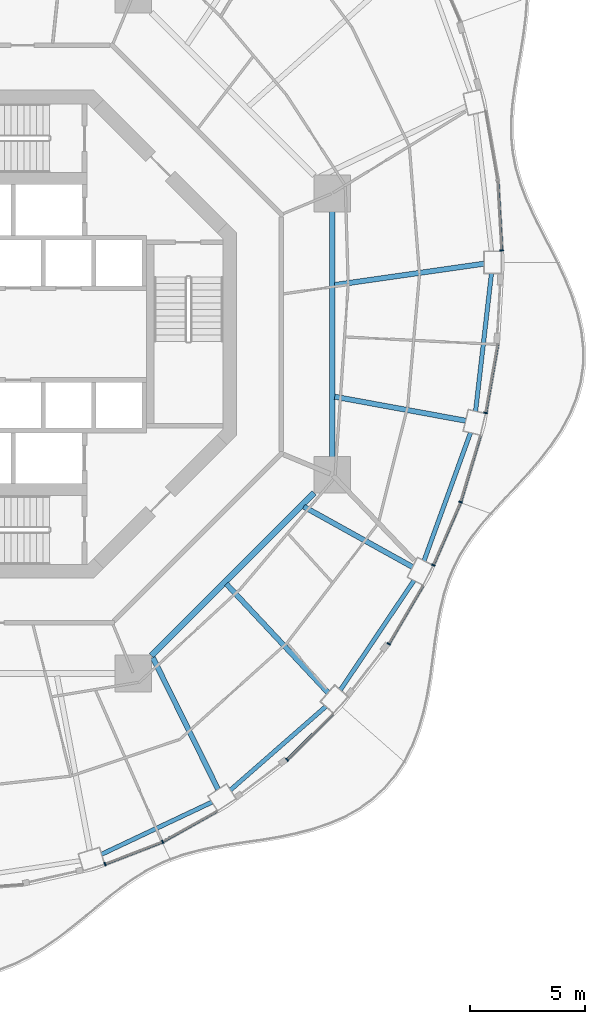
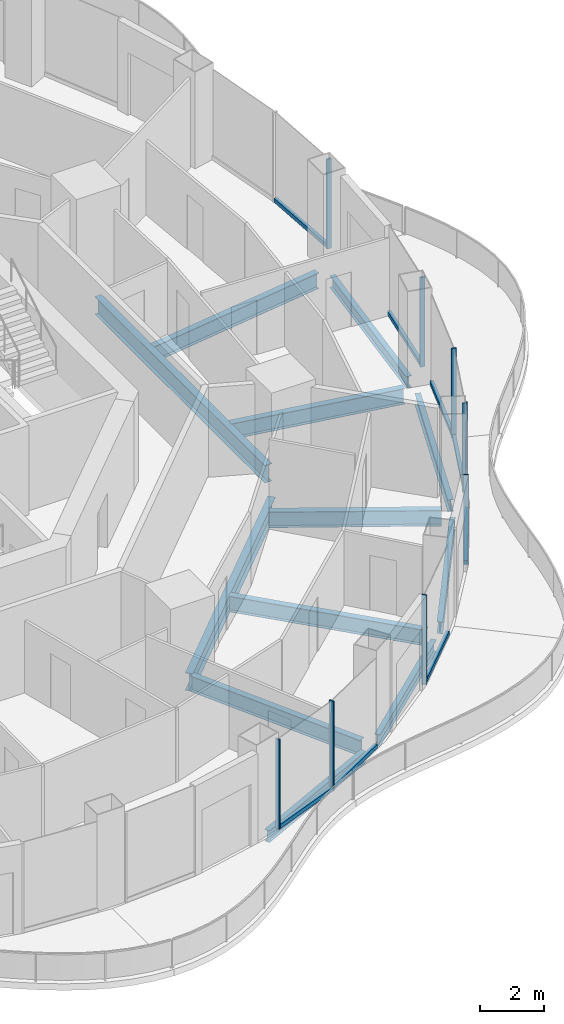
# One storey, part 4 of 18: 16 members, 12 beams, 8 elements without a shape of their own.
"""IFC4 building model written with IfcOpenShell, lengths in metres."""

from ifc_helpers import new_model, si_unit, direction, frame, origin, origin_2d, place, context, subcontext, project, spatial, rectangle, i_section, extrude, material, layer, layer_set, material_profile, profile_set, type_object, element, aggregate, save


model = new_model("IFC4")

# Units and contexts
model_context = context("Model", 3, precision=1e-05, world=origin(), true_north=direction((0.0, 1.0)))
body_context = subcontext(model_context, "Body", "Model", "MODEL_VIEW")
ifc_project = project(units=[si_unit("LENGTHUNIT", "METRE"), si_unit("AREAUNIT", "SQUARE_METRE"), si_unit("VOLUMEUNIT", "CUBIC_METRE"), si_unit("PLANEANGLEUNIT", "RADIAN"), si_unit("MASSUNIT", "GRAM", prefix="KILO")], contexts=[model_context])

# Site, building, storey
site_placement = place(None, origin())
site = spatial("IfcSite", under=ifc_project, at=site_placement, CompositionType="ELEMENT")
building_placement = place(site_placement, origin())
building = spatial("IfcBuilding", under=site, at=building_placement, Name="Nagisa Residences", CompositionType="ELEMENT")
storey_placement = place(building_placement, frame((0.0, 0.0, 223.300048828125)))
storey = spatial("IfcBuildingStorey", under=building, at=storey_placement, Name="L56", CompositionType="ELEMENT", Elevation=223.300048828125)

# Curtain wall, member
ifc_material_1 = material(Name="Concrete-coloured aluminium curtain wall system", Category="concrete")
ifc_layer = layer(ifc_material_1, 0.159912109375)
ifc_layer_set = layer_set([ifc_layer], Name="CW1 CURTAIN WALL")
curtain_wall_type = type_object("IfcCurtainWallType", Name="CW1 CURTAIN WALL", PredefinedType="NOTDEFINED", material=ifc_layer_set)
curtain_wall_1_placement = place(storey_placement, origin())
curtain_wall_1 = element("IfcCurtainWall", 1, at=curtain_wall_1_placement, inside=storey, type_object=curtain_wall_type, Name="cw:CW1:L56:00", PredefinedType="NOTDEFINED")
ifc_material_2 = material(Name="Concrete-coloured aluminium", Category="concrete")
ifc_material_profile_1 = material_profile(ifc_material_2, rectangle(XDim=0.159912109375, YDim=0.06005859375, at=origin_2d()), Name="CW1 MULLION 160x60")
ifc_profile_set_1 = profile_set([ifc_material_profile_1], Name="Concrete-coloured aluminium")
member_type_1 = type_object("IfcMemberType", Name="CW1 MULLION 160x60", PredefinedType="MULLION", material=ifc_profile_set_1)
member_1_placement = place(storey_placement, frame((22.15966796875, 3.642333984375, 0.0), z_axis=(0.0, 0.0, 1.0), x_axis=(-0.998345305184, -0.057503492216, 0.0)))
member_1 = element("IfcMember", 2, at=member_1_placement, type_object=member_type_1, Name="CW1 mullion", PredefinedType="MULLION", context=body_context, shape_type="SweptSolid", body=[
    extrude(rectangle(XDim=0.159912109375, YDim=0.06005859375, at=origin_2d()), origin(), (0.0, 0.0, 1.0), 3.43994140625),
])

curtain_wall_2_placement = place(storey_placement, origin())
curtain_wall_2 = element("IfcCurtainWall", 3, at=curtain_wall_2_placement, inside=storey, type_object=curtain_wall_type, Name="cw:CW1:L56:38", PredefinedType="NOTDEFINED")
member_2_placement = place(storey_placement, frame((4.895263671875, -23.073486328125, 0.0), z_axis=(0.0, 0.0, 1.0), x_axis=(-0.360327770268, 0.932825759707, 0.0)))
member_2 = element("IfcMember", 4, at=member_2_placement, type_object=member_type_1, Name="CW1 mullion", PredefinedType="MULLION", context=body_context, shape_type="SweptSolid", body=[
    extrude(rectangle(XDim=0.159912109375, YDim=0.06005859375, at=origin_2d()), origin(), (0.0, 0.0, 1.0), 3.43994140625),
])

curtain_wall_3_placement = place(storey_placement, origin())
curtain_wall_3 = element("IfcCurtainWall", 5, at=curtain_wall_3_placement, inside=storey, type_object=curtain_wall_type, Name="cw:CW1:L56:39", PredefinedType="NOTDEFINED")
member_3_placement = place(storey_placement, frame((7.398193359375, -22.10302734375, 0.0), z_axis=(0.0, 0.0, 1.0), x_axis=(-0.489376918501, 0.872072377523, 0.0)))
member_3 = element("IfcMember", 6, at=member_3_placement, type_object=member_type_1, Name="CW1 mullion", PredefinedType="MULLION", context=body_context, shape_type="SweptSolid", body=[
    extrude(rectangle(XDim=0.159912109375, YDim=0.06005859375, at=origin_2d()), origin(), (0.0, 0.0, 1.0), 3.43994140625),
])

curtain_wall_4_placement = place(storey_placement, origin())
curtain_wall_4 = element("IfcCurtainWall", 7, at=curtain_wall_4_placement, inside=storey, type_object=curtain_wall_type, Name="cw:CW1:L56:41", PredefinedType="NOTDEFINED")
member_4_placement = place(storey_placement, frame((12.817626953125, -18.534423828125, 0.0), z_axis=(0.0, 0.0, 1.0), x_axis=(-0.706376885714, 0.707835924016, 0.0)))
member_4 = element("IfcMember", 8, at=member_4_placement, type_object=member_type_1, Name="CW1 mullion", PredefinedType="MULLION", context=body_context, shape_type="SweptSolid", body=[
    extrude(rectangle(XDim=0.159912109375, YDim=0.06005859375, at=origin_2d()), origin(), (0.0, 0.0, 1.0), 3.43994140625),
])

curtain_wall_5_placement = place(storey_placement, origin())
curtain_wall_5 = element("IfcCurtainWall", 9, at=curtain_wall_5_placement, inside=storey, type_object=curtain_wall_type, Name="cw:CW1:L56:43", PredefinedType="NOTDEFINED")
member_5_placement = place(storey_placement, frame((17.2421875, -13.489990234375, 0.0), z_axis=(0.0, 0.0, 1.0), x_axis=(-0.862328898214, 0.506348567002, 0.0)))
member_5 = element("IfcMember", 10, at=member_5_placement, type_object=member_type_1, Name="CW1 mullion", PredefinedType="MULLION", context=body_context, shape_type="SweptSolid", body=[
    extrude(rectangle(XDim=0.159912109375, YDim=0.06005859375, at=origin_2d()), origin(), (0.0, 0.0, 1.0), 3.43994140625),
])

curtain_wall_6_placement = place(storey_placement, origin())
curtain_wall_6 = element("IfcCurtainWall", 11, at=curtain_wall_6_placement, inside=storey, type_object=curtain_wall_type, Name="cw:CW1:L56:44", PredefinedType="NOTDEFINED")
member_6_placement = place(storey_placement, frame((19.1826171875, -10.05908203125, 0.0), z_axis=(0.0, 0.0, 1.0), x_axis=(-0.917543276295, 0.397635934147, 0.0)))
member_6 = element("IfcMember", 12, at=member_6_placement, type_object=member_type_1, Name="CW1 mullion", PredefinedType="MULLION", context=body_context, shape_type="SweptSolid", body=[
    extrude(rectangle(XDim=0.159912109375, YDim=0.06005859375, at=origin_2d()), origin(), (0.0, 0.0, 1.0), 3.43994140625),
])

curtain_wall_7_placement = place(storey_placement, origin())
curtain_wall_7 = element("IfcCurtainWall", 13, at=curtain_wall_7_placement, inside=storey, type_object=curtain_wall_type, Name="cw:CW1:L56:45", PredefinedType="NOTDEFINED")
member_7_placement = place(storey_placement, frame((20.36962890625, -7.3125, 0.0), z_axis=(0.0, 0.0, 1.0), x_axis=(-0.958271310082, 0.285860274038, 0.0)))
member_7 = element("IfcMember", 14, at=member_7_placement, type_object=member_type_1, Name="CW1 mullion", PredefinedType="MULLION", context=body_context, shape_type="SweptSolid", body=[
    extrude(rectangle(XDim=0.159912109375, YDim=0.06005859375, at=origin_2d()), origin(), (0.0, 0.0, 1.0), 3.43994140625),
])

curtain_wall_8_placement = place(storey_placement, origin())
curtain_wall_8 = element("IfcCurtainWall", 15, at=curtain_wall_8_placement, inside=storey, type_object=curtain_wall_type, Name="cw:CW1:L56:46", PredefinedType="NOTDEFINED")
member_8_placement = place(storey_placement, frame((21.46240234375, -3.435546875, 0.0), z_axis=(0.0, 0.0, 1.0), x_axis=(-0.985063604377, 0.172190868898, 0.0)))
member_8 = element("IfcMember", 16, at=member_8_placement, type_object=member_type_1, Name="CW1 mullion", PredefinedType="MULLION", context=body_context, shape_type="SweptSolid", body=[
    extrude(rectangle(XDim=0.159912109375, YDim=0.06005859375, at=origin_2d()), origin(), (0.0, 0.0, 1.0), 3.43994140625),
])

# Member
ifc_material_3 = material(Name="Concrete-coloured aluminium", Category="concrete")
ifc_material_profile_2 = material_profile(ifc_material_3, rectangle(XDim=0.1201171875, YDim=0.14990234375, at=origin_2d()), Name="CW1 TRANSOM 120x150")
ifc_profile_set_2 = profile_set([ifc_material_profile_2], Name="Concrete-coloured aluminium")
member_type_2 = type_object("IfcMemberType", Name="CW1 TRANSOM 120x150", PredefinedType="USERDEFINED", material=ifc_profile_set_2)
member_9_placement = place(storey_placement, frame((22.161376953125, 3.6123046875, 0.074951171875), z_axis=(-0.057528189427, 0.998343882348, 0.0), x_axis=(-0.998343882348, -0.057528189427, 0.0)))
member_9 = element("IfcMember", 17, at=member_9_placement, type_object=member_type_2, Name="CW1 transom", ObjectType="TRANSOM", PredefinedType="USERDEFINED", context=body_context, shape_type="SweptSolid", body=[
    extrude(rectangle(XDim=0.1201171875, YDim=0.14990234375, at=origin_2d()), origin(), (0.0, 0.0, 1.0), 3.0810546875),
])

aggregate(curtain_wall_1, [member_1, member_9])

member_10_placement = place(storey_placement, frame((4.867431640625, -23.084228515625, 0.074951171875), z_axis=(0.932826499224, 0.360325855782, 0.0), x_axis=(-0.360325855782, 0.932826499224, 0.0)))
member_10 = element("IfcMember", 18, at=member_10_placement, type_object=member_type_2, Name="CW1 transom", ObjectType="TRANSOM", PredefinedType="USERDEFINED", context=body_context, shape_type="SweptSolid", body=[
    extrude(rectangle(XDim=0.1201171875, YDim=0.14990234375, at=origin_2d()), origin(), (0.0, 0.0, 1.0), 2.696044921875),
])

aggregate(curtain_wall_2, [member_2, member_10])

member_11_placement = place(storey_placement, frame((7.3720703125, -22.11767578125, 0.074951171875), z_axis=(0.872041873719, 0.489431272479, 0.0), x_axis=(-0.489431272479, 0.872041873719, 0.0)))
member_11 = element("IfcMember", 19, at=member_11_placement, type_object=member_type_2, Name="CW1 transom", ObjectType="TRANSOM", PredefinedType="USERDEFINED", context=body_context, shape_type="SweptSolid", body=[
    extrude(rectangle(XDim=0.1201171875, YDim=0.14990234375, at=origin_2d()), origin(), (0.0, 0.0, 1.0), 2.738037109375),
])

aggregate(curtain_wall_3, [member_3, member_11])

member_12_placement = place(storey_placement, frame((12.79638671875, -18.5556640625, 0.074951171875), z_axis=(0.707836044127, 0.706376765356, 0.0), x_axis=(-0.706376765356, 0.707836044127, 0.0)))
member_12 = element("IfcMember", 20, at=member_12_placement, type_object=member_type_2, Name="CW1 transom", ObjectType="TRANSOM", PredefinedType="USERDEFINED", context=body_context, shape_type="SweptSolid", body=[
    extrude(rectangle(XDim=0.1201171875, YDim=0.14990234375, at=origin_2d()), origin(), (0.0, 0.0, 1.0), 2.84423828125),
])

aggregate(curtain_wall_4, [member_4, member_12])

member_13_placement = place(storey_placement, frame((17.22705078125, -13.515869140625, 0.074951171875), z_axis=(0.5063555387, 0.862324804484, 0.0), x_axis=(-0.862324804484, 0.5063555387, 0.0)))
member_13 = element("IfcMember", 21, at=member_13_placement, type_object=member_type_2, Name="CW1 transom", ObjectType="TRANSOM", PredefinedType="USERDEFINED", context=body_context, shape_type="SweptSolid", body=[
    extrude(rectangle(XDim=0.1201171875, YDim=0.14990234375, at=origin_2d()), origin(), (0.0, 0.0, 1.0), 2.95458984375),
])

aggregate(curtain_wall_5, [member_5, member_13])

member_14_placement = place(storey_placement, frame((19.170654296875, -10.086669921875, 0.074951171875), z_axis=(0.397616567135, 0.917551669139, 0.0), x_axis=(-0.917551669139, 0.397616567135, 0.0)))
member_14 = element("IfcMember", 22, at=member_14_placement, type_object=member_type_2, Name="CW1 transom", ObjectType="TRANSOM", PredefinedType="USERDEFINED", context=body_context, shape_type="SweptSolid", body=[
    extrude(rectangle(XDim=0.1201171875, YDim=0.14990234375, at=origin_2d()), origin(), (0.0, 0.0, 1.0), 3.001953125),
])

aggregate(curtain_wall_6, [member_6, member_14])

member_15_placement = place(storey_placement, frame((20.361083984375, -7.341064453125, 0.074951171875), z_axis=(0.285881452443, 0.958264992134, 0.0), x_axis=(-0.958264992134, 0.285881452443, 0.0)))
member_15 = element("IfcMember", 23, at=member_15_placement, type_object=member_type_2, Name="CW1 transom", ObjectType="TRANSOM", PredefinedType="USERDEFINED", context=body_context, shape_type="SweptSolid", body=[
    extrude(rectangle(XDim=0.1201171875, YDim=0.14990234375, at=origin_2d()), origin(), (0.0, 0.0, 1.0), 3.040283203125),
])

aggregate(curtain_wall_7, [member_7, member_15])

member_16_placement = place(storey_placement, frame((21.45703125, -3.465087890625, 0.074951171875), z_axis=(0.172241318156, 0.985054784426, 0.0), x_axis=(-0.985054784426, 0.172241318156, 0.0)))
member_16 = element("IfcMember", 24, at=member_16_placement, type_object=member_type_2, Name="CW1 transom", ObjectType="TRANSOM", PredefinedType="USERDEFINED", context=body_context, shape_type="SweptSolid", body=[
    extrude(rectangle(XDim=0.1201171875, YDim=0.14990234375, at=origin_2d()), origin(), (0.0, 0.0, 1.0), 3.0673828125),
])

aggregate(curtain_wall_8, [member_8, member_16])

# Beams
ifc_material_4 = material(Name="Steel ASTM A572 Gr 50", Category="steel")
ifc_material_profile_3 = material_profile(ifc_material_4, i_section(OverallWidth=0.2529296875, OverallDepth=0.677978515625, WebThickness=0.01171875, FlangeThickness=0.016357421875, at=origin_2d()), Name="W690x125")
ifc_profile_set_3 = profile_set([ifc_material_profile_3], Name="Steel ASTM A572 Gr 50")
beam_type_1 = type_object("IfcBeamType", Name="Inner ring beam W690x125", PredefinedType="BEAM", material=ifc_profile_set_3)
beam_1_placement = place(storey_placement, frame((6.90869140625, -13.99609375, -0.59912109375), z_axis=(0.707106781187, 0.707106781187, 0.0), x_axis=(-0.707106781187, 0.707106781187, 0.0)))
element("IfcBeam", 25, at=beam_1_placement, inside=storey, type_object=beam_type_1, Name="beam:L56:ib7", PredefinedType="BEAM", context=body_context, shape_type="SweptSolid", body=[
    extrude(i_section(OverallWidth=0.2529296875, OverallDepth=0.677978515625, WebThickness=0.01171875, FlangeThickness=0.016357421875, at=origin_2d()), origin(), (0.0, 0.0, 1.0), 10.023193359375),
])
beam_2_placement = place(storey_placement, frame((14.781982421875, -5.343017578125, -0.59912109375), z_axis=(0.0, 1.0, 0.0), x_axis=(-1.0, 0.0, 0.0)))
element("IfcBeam", 26, at=beam_2_placement, inside=storey, type_object=beam_type_1, Name="beam:L56:ib8", PredefinedType="BEAM", context=body_context, shape_type="SweptSolid", body=[
    extrude(i_section(OverallWidth=0.2529296875, OverallDepth=0.677978515625, WebThickness=0.01171875, FlangeThickness=0.016357421875, at=origin_2d()), origin(), (0.0, 0.0, 1.0), 10.68603515625),
])
ifc_material_5 = material(Name="Steel ASTM A572 Gr 50", Category="steel")
ifc_material_profile_4 = material_profile(ifc_material_5, i_section(OverallWidth=0.18994140625, OverallDepth=0.45703125, WebThickness=0.009033203125, FlangeThickness=0.014404296875, at=origin_2d()), Name="W460x74")
ifc_profile_set_4 = profile_set([ifc_material_profile_4], Name="Steel ASTM A572 Gr 50")
beam_type_2 = type_object("IfcBeamType", Name="Perimeter ring beam W460x74", PredefinedType="BEAM", material=ifc_profile_set_4)
beam_3_placement = place(storey_placement, frame((4.7392578125, -22.648681640625, -0.488525390625), z_axis=(0.904133867308, 0.42724928319, 0.0), x_axis=(-0.42724928319, 0.904133867308, 0.0)))
element("IfcBeam", 27, at=beam_3_placement, inside=storey, type_object=beam_type_2, Name="beam:L56:pb20", PredefinedType="BEAM", context=body_context, shape_type="SweptSolid", body=[
    extrude(i_section(OverallWidth=0.18994140625, OverallDepth=0.45703125, WebThickness=0.009033203125, FlangeThickness=0.014404296875, at=origin_2d()), origin(), (0.0, 0.0, 1.0), 5.317138671875),
])
beam_4_placement = place(storey_placement, frame((10.349853515625, -19.850341796875, -0.488525390625), z_axis=(0.75242320672, 0.65867998147, 0.0), x_axis=(-0.65867998147, 0.75242320672, 0.0)))
element("IfcBeam", 28, at=beam_4_placement, inside=storey, type_object=beam_type_2, Name="beam:L56:pb21", PredefinedType="BEAM", context=body_context, shape_type="SweptSolid", body=[
    extrude(i_section(OverallWidth=0.18994140625, OverallDepth=0.45703125, WebThickness=0.009033203125, FlangeThickness=0.014404296875, at=origin_2d()), origin(), (0.0, 0.0, 1.0), 5.5185546875),
])
beam_5_placement = place(storey_placement, frame((15.13671875, -15.49462890625, -0.488525390625), z_axis=(0.558109119402, 0.829767564345, 0.0), x_axis=(-0.829767564345, 0.558109119402, 0.0)))
element("IfcBeam", 29, at=beam_5_placement, inside=storey, type_object=beam_type_2, Name="beam:L56:pb22", PredefinedType="BEAM", context=body_context, shape_type="SweptSolid", body=[
    extrude(i_section(OverallWidth=0.18994140625, OverallDepth=0.45703125, WebThickness=0.009033203125, FlangeThickness=0.014404296875, at=origin_2d()), origin(), (0.0, 0.0, 1.0), 5.74365234375),
])
beam_6_placement = place(storey_placement, frame((18.77734375, -9.87255859375, -0.488525390625), z_axis=(0.341290329164, 0.939957930558, 0.0), x_axis=(-0.939957930558, 0.341290329164, 0.0)))
element("IfcBeam", 30, at=beam_6_placement, inside=storey, type_object=beam_type_2, Name="beam:L56:pb23", PredefinedType="BEAM", context=body_context, shape_type="SweptSolid", body=[
    extrude(i_section(OverallWidth=0.18994140625, OverallDepth=0.45703125, WebThickness=0.009033203125, FlangeThickness=0.014404296875, at=origin_2d()), origin(), (0.0, 0.0, 1.0), 5.932373046875),
])
beam_7_placement = place(storey_placement, frame((21.022216796875, -3.36181640625, -0.488525390625), z_axis=(0.114650193512, 0.993405925656, 0.0), x_axis=(-0.993405925656, 0.114650193512, 0.0)))
element("IfcBeam", 31, at=beam_7_placement, inside=storey, type_object=beam_type_2, Name="beam:L56:pb24", PredefinedType="BEAM", context=body_context, shape_type="SweptSolid", body=[
    extrude(i_section(OverallWidth=0.18994140625, OverallDepth=0.45703125, WebThickness=0.009033203125, FlangeThickness=0.014404296875, at=origin_2d()), origin(), (0.0, 0.0, 1.0), 6.0390625),
])
ifc_material_6 = material(Name="Steel ASTM A572 Gr 50", Category="steel")
ifc_material_profile_5 = material_profile(ifc_material_6, i_section(OverallWidth=0.22802734375, OverallDepth=0.60302734375, WebThickness=0.010498046875, FlangeThickness=0.014892578125, at=origin_2d()), Name="W610x101")
ifc_profile_set_5 = profile_set([ifc_material_profile_5], Name="Steel ASTM A572 Gr 50")
beam_type_3 = type_object("IfcBeamType", Name="Radial beam W610x101", PredefinedType="BEAM", material=ifc_profile_set_5)
beam_8_placement = place(storey_placement, frame((21.389892578125, 3.063232421875, -0.5615234375), z_axis=(-0.989903345459, -0.141744018034, 0.0), x_axis=(0.141744018034, -0.989903345459, 0.0)))
element("IfcBeam", 32, at=beam_8_placement, inside=storey, type_object=beam_type_3, Name="beam:L56:rb01", PredefinedType="BEAM", context=body_context, shape_type="SweptSolid", body=[
    extrude(i_section(OverallWidth=0.22802734375, OverallDepth=0.60302734375, WebThickness=0.010498046875, FlangeThickness=0.014892578125, at=origin_2d()), origin(), (0.0, 0.0, 1.0), 6.567626953125),
])
beam_9_placement = place(storey_placement, frame((9.815185546875, -19.826416015625, -0.5615234375), z_axis=(-0.443658666969, 0.896195842003, 0.0), x_axis=(-0.896195842003, -0.443658666969, 0.0)))
element("IfcBeam", 33, at=beam_9_placement, inside=storey, type_object=beam_type_3, Name="beam:L56:rb21", PredefinedType="BEAM", context=body_context, shape_type="SweptSolid", body=[
    extrude(i_section(OverallWidth=0.22802734375, OverallDepth=0.60302734375, WebThickness=0.010498046875, FlangeThickness=0.014892578125, at=origin_2d()), origin(), (0.0, 0.0, 1.0), 6.406982421875),
])
beam_10_placement = place(storey_placement, frame((14.605712890625, -15.617431640625, -0.5615234375), z_axis=(-0.683072943543, 0.730350158349, 0.0), x_axis=(-0.730350158349, -0.683072943543, 0.0)))
element("IfcBeam", 34, at=beam_10_placement, inside=storey, type_object=beam_type_3, Name="beam:L56:rb22", PredefinedType="BEAM", context=body_context, shape_type="SweptSolid", body=[
    extrude(i_section(OverallWidth=0.22802734375, OverallDepth=0.60302734375, WebThickness=0.010498046875, FlangeThickness=0.014892578125, at=origin_2d()), origin(), (0.0, 0.0, 1.0), 6.486083984375),
])
beam_11_placement = place(storey_placement, frame((18.27978515625, -10.142822265625, -0.5615234375), z_axis=(-0.874405859214, 0.485195211614, 0.0), x_axis=(-0.485195211614, -0.874405859214, 0.0)))
element("IfcBeam", 35, at=beam_11_placement, inside=storey, type_object=beam_type_3, Name="beam:L56:rb23", PredefinedType="BEAM", context=body_context, shape_type="SweptSolid", body=[
    extrude(i_section(OverallWidth=0.22802734375, OverallDepth=0.60302734375, WebThickness=0.010498046875, FlangeThickness=0.014892578125, at=origin_2d()), origin(), (0.0, 0.0, 1.0), 5.417724609375),
])
beam_12_placement = place(storey_placement, frame((20.592529296875, -3.7734375, -0.5615234375), z_axis=(-0.983621738755, 0.180245041675, 0.0), x_axis=(-0.180245041675, -0.983621738755, 0.0)))
element("IfcBeam", 36, at=beam_12_placement, inside=storey, type_object=beam_type_3, Name="beam:L56:rb24", PredefinedType="BEAM", context=body_context, shape_type="SweptSolid", body=[
    extrude(i_section(OverallWidth=0.22802734375, OverallDepth=0.60302734375, WebThickness=0.010498046875, FlangeThickness=0.014892578125, at=origin_2d()), origin(), (0.0, 0.0, 1.0), 5.798583984375),
])

save(model, "model.ifc")
